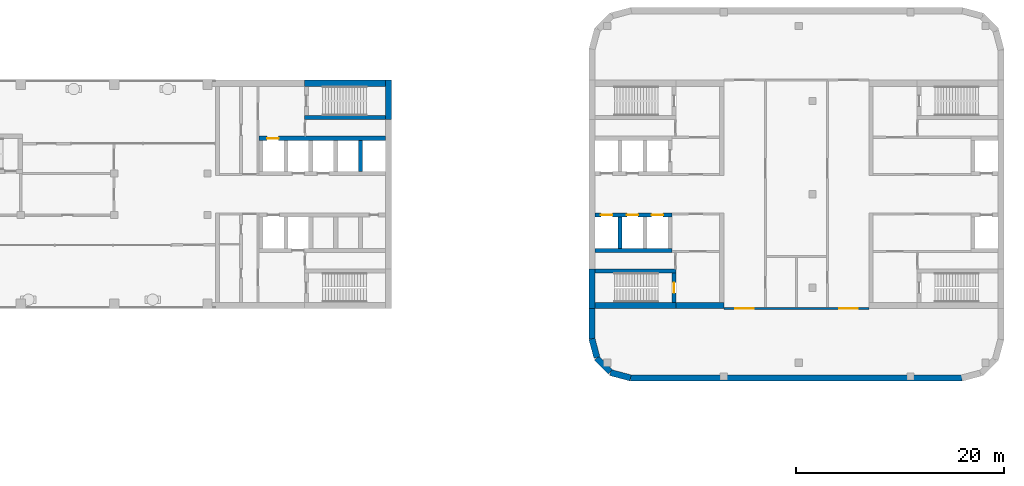
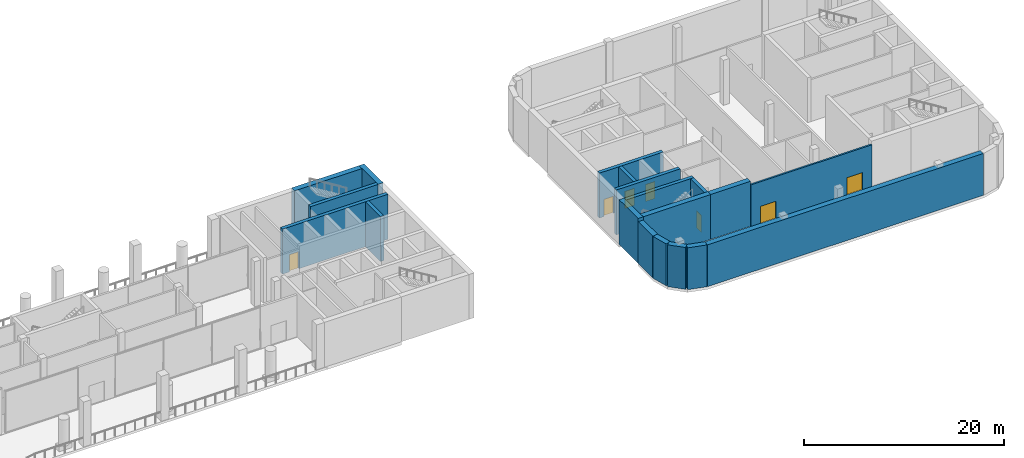
# One storey, part 12 of 19: 19 walls, 7 doors, 7 openings.
"""IFC4 building model written with IfcOpenShell, lengths in metres."""

from ifc_helpers import new_model, si_unit, direction, frame, frame_2d, origin, place, context, subcontext, project, spatial, rectangle, extrude, material, layer, layer_set, type_object, element, fill, save


model = new_model("IFC4")

# Units and contexts
model_context = context("Model", 3, precision=1e-05, world=origin(), true_north=direction((0.0, 1.0)))
body_context = subcontext(model_context, "Body", "Model", "MODEL_VIEW")
ifc_project = project(units=[si_unit("LENGTHUNIT", "METRE"), si_unit("AREAUNIT", "SQUARE_METRE"), si_unit("VOLUMEUNIT", "CUBIC_METRE"), si_unit("PLANEANGLEUNIT", "RADIAN"), si_unit("MASSUNIT", "GRAM", prefix="KILO")], contexts=[model_context])

# Site, building, storey
site_placement = place(None, origin())
site = spatial("IfcSite", under=ifc_project, at=site_placement, CompositionType="ELEMENT")
building_placement = place(site_placement, origin())
building = spatial("IfcBuilding", under=site, at=building_placement, Name="Skarvind Civic Tower", CompositionType="ELEMENT")
storey_placement = place(building_placement, frame((0.0, 0.0, 75.5)))
storey = spatial("IfcBuildingStorey", under=building, at=storey_placement, Name="L17", CompositionType="ELEMENT", Elevation=75.5)

# Wall
ifc_material_1 = material(Name="Concrete C80", Category="concrete")
ifc_layer_1 = layer(ifc_material_1, 0.39990234375)
ifc_layer_set_1 = layer_set([ifc_layer_1], Name="Core wall 400 C80")
wall_type_1 = type_object("IfcWallType", Name="Core wall 400 C80", PredefinedType="SHEAR", material=ifc_layer_set_1)
wall_1_placement = place(storey_placement, frame((107.39990234375, 135.39990234375, 0.0), z_axis=(0.0, 0.0, 1.0), x_axis=(-1.0, 0.0, 0.0)))
element("IfcWall", 1, at=wall_1_placement, inside=storey, type_object=wall_type_1, Name="Core wall C1 south stair inner L17", PredefinedType="SHEAR", context=body_context, shape_type="SweptSolid", body=[
    extrude(rectangle(XDim=7.7998046875, YDim=0.39990234375, at=frame_2d((3.89990234375, 0.0))), origin(), (0.0, 0.0, 1.0), 5.5),
])

# Wall, opening, door
wall_2_placement = place(storey_placement, frame((107.39990234375, 133.39990234375, 0.0), z_axis=(0.0, 0.0, 1.0), x_axis=(-1.0, 0.0, 0.0)))
wall_2 = element("IfcWall", 2, at=wall_2_placement, inside=storey, type_object=wall_type_1, Name="Core wall C1 south lift row back L17", PredefinedType="SHEAR", context=body_context, shape_type="SweptSolid", body=[
    extrude(rectangle(XDim=12.199951171875, YDim=0.39990234375, at=frame_2d((6.10009765625, 0.0))), origin(), (0.0, 0.0, 1.0), 5.5),
])
opening_1_placement = place(wall_2_placement, frame((10.300048828125, 0.0, 0.0)))
opening_1 = element("IfcOpeningElement", 3, at=opening_1_placement, cuts=wall_2, Name="Opening LD19110", PredefinedType="OPENING", context=body_context, shape_type="SweptSolid", body=[
    extrude(rectangle(XDim=1.10009765625, YDim=2.10009765625, at=frame_2d((0.550048828125, 1.050048828125))), frame((0.0, 0.2099609375, 0.0), z_axis=(0.0, -1.0, 0.0), x_axis=(1.0, 0.0, 0.0)), (0.0, 0.0, 1.0), 0.419921875),
])
ifc_material_2 = material(Name="Stainless steel landing door", Category="steel")
door_type_1 = type_object("IfcDoorType", Name="Lift landing door 1100", OperationType="DOUBLE_DOOR_SLIDING", PredefinedType="DOOR", material=ifc_material_2)
door_1_placement = place(opening_1_placement, origin())
door_1 = element("IfcDoor", 4, at=door_1_placement, inside=storey, type_object=door_type_1, Name="Lift landing door", OperationType="DOUBLE_DOOR_SLIDING", OverallHeight=2.10009765625, OverallWidth=1.10009765625, PredefinedType="DOOR", context=body_context, shape_type="SweptSolid", body=[
    extrude(rectangle(XDim=1.10009765625, YDim=2.10009765625, at=frame_2d((0.550048828125, 1.050048828125))), frame((0.0, 0.02490234375, 0.0), z_axis=(0.0, -1.0, 0.0), x_axis=(1.0, 0.0, 0.0)), (0.0, 0.0, 1.0), 0.050048828125),
])
fill(opening_1, door_1)

# Walls
wall_3_placement = place(storey_placement, frame((105.0, 133.199951171875, 0.0), z_axis=(0.0, 0.0, 1.0), x_axis=(0.0, -1.0, 0.0)))
element("IfcWall", 5, at=wall_3_placement, inside=storey, type_object=wall_type_1, Name="Core wall C1 south lift row division 1 L17", PredefinedType="SHEAR", context=body_context, shape_type="SweptSolid", body=[
    extrude(rectangle(XDim=3.0, YDim=0.39990234375, at=frame_2d((1.5, 0.0))), origin(), (0.0, 0.0, 1.0), 5.5),
])
wall_4_placement = place(storey_placement, frame((127.60009765625, 120.60009765625, 0.0), z_axis=(0.0, 0.0, 1.0), x_axis=(1.0, 0.0, 0.0)))
element("IfcWall", 6, at=wall_4_placement, inside=storey, type_object=wall_type_1, Name="Core wall CA south stair inner L17", PredefinedType="SHEAR", context=body_context, shape_type="SweptSolid", body=[
    extrude(rectangle(XDim=7.7998046875, YDim=0.39990234375, at=frame_2d((3.89990234375, 0.0))), origin(), (0.0, 0.0, 1.0), 5.5),
])

# Wall, opening, door
wall_5_placement = place(storey_placement, frame((135.199951171875, 117.60009765625, 0.0), z_axis=(0.0, 0.0, 1.0), x_axis=(0.0, 1.0, 0.0)))
wall_5 = element("IfcWall", 7, at=wall_5_placement, inside=storey, type_object=wall_type_1, Name="Core wall CA south stair end L17", PredefinedType="SHEAR", context=body_context, shape_type="SweptSolid", body=[
    extrude(rectangle(XDim=2.7998046875, YDim=0.39990234375, at=frame_2d((1.39990234375, 0.0))), origin(), (0.0, 0.0, 1.0), 5.5),
])
opening_2_placement = place(wall_5_placement, frame((0.89990234375, 0.0, 0.0)))
opening_2 = element("IfcOpeningElement", 8, at=opening_2_placement, cuts=wall_5, Name="Opening D-L17-CA-12", PredefinedType="OPENING", context=body_context, shape_type="SweptSolid", body=[
    extrude(rectangle(XDim=1.0, YDim=2.10009765625, at=frame_2d((0.5, 1.050048828125))), frame((0.0, 0.2099609375, 0.0), z_axis=(0.0, -1.0, 0.0), x_axis=(1.0, 0.0, 0.0)), (0.0, 0.0, 1.0), 0.419921875),
])
ifc_material_3 = material(Name="Fire-rated steel door", Category="steel")
door_type_2 = type_object("IfcDoorType", Name="Fire door 1000", OperationType="NOTDEFINED", PredefinedType="DOOR", material=ifc_material_3)
door_2_placement = place(opening_2_placement, origin())
door_2 = element("IfcDoor", 9, at=door_2_placement, inside=storey, type_object=door_type_2, Name="Fire door", OperationType="SINGLE_SWING_RIGHT", OverallHeight=2.10009765625, OverallWidth=1.0, PredefinedType="DOOR", context=body_context, shape_type="SweptSolid", body=[
    extrude(rectangle(XDim=1.0, YDim=2.10009765625, at=frame_2d((0.5, 1.050048828125))), frame((0.0, 0.02490234375, 0.0), z_axis=(0.0, -1.0, 0.0), x_axis=(1.0, 0.0, 0.0)), (0.0, 0.0, 1.0), 0.050048828125),
])
fill(opening_2, door_2)

# Wall, openings, doors
wall_6_placement = place(storey_placement, frame((127.60009765625, 126.0, 0.0), z_axis=(0.0, 0.0, 1.0), x_axis=(1.0, 0.0, 0.0)))
wall_6 = element("IfcWall", 10, at=wall_6_placement, inside=storey, type_object=wall_type_1, Name="Core wall CA south lift row front L17", PredefinedType="SHEAR", context=body_context, shape_type="SweptSolid", body=[
    extrude(rectangle(XDim=7.39990234375, YDim=0.39990234375, at=frame_2d((3.699951171875, 0.0))), origin(), (0.0, 0.0, 1.0), 5.5),
])
opening_3_placement = place(wall_6_placement, frame((0.550048828125, 0.0, 0.0)))
opening_3 = element("IfcOpeningElement", 11, at=opening_3_placement, cuts=wall_6, Name="Opening LD19304", PredefinedType="OPENING", context=body_context, shape_type="SweptSolid", body=[
    extrude(rectangle(XDim=1.10009765625, YDim=2.10009765625, at=frame_2d((0.550048828125, 1.050048828125))), frame((0.0, 0.2099609375, 0.0), z_axis=(0.0, -1.0, 0.0), x_axis=(1.0, 0.0, 0.0)), (0.0, 0.0, 1.0), 0.419921875),
])
opening_4_placement = place(wall_6_placement, frame((3.050048828125, 0.0, 0.0)))
opening_4 = element("IfcOpeningElement", 12, at=opening_4_placement, cuts=wall_6, Name="Opening LD19305", PredefinedType="OPENING", context=body_context, shape_type="SweptSolid", body=[
    extrude(rectangle(XDim=1.10009765625, YDim=2.10009765625, at=frame_2d((0.550048828125, 1.050048828125))), frame((0.0, 0.2099609375, 0.0), z_axis=(0.0, -1.0, 0.0), x_axis=(1.0, 0.0, 0.0)), (0.0, 0.0, 1.0), 0.419921875),
])
opening_5_placement = place(wall_6_placement, frame((5.449951171875, 0.0, 0.0)))
opening_5 = element("IfcOpeningElement", 13, at=opening_5_placement, cuts=wall_6, Name="Opening LD19306", PredefinedType="OPENING", context=body_context, shape_type="SweptSolid", body=[
    extrude(rectangle(XDim=1.10009765625, YDim=2.10009765625, at=frame_2d((0.550048828125, 1.050048828125))), frame((0.0, 0.2099609375, 0.0), z_axis=(0.0, -1.0, 0.0), x_axis=(1.0, 0.0, 0.0)), (0.0, 0.0, 1.0), 0.419921875),
])
door_3_placement = place(opening_3_placement, origin())
door_3 = element("IfcDoor", 14, at=door_3_placement, inside=storey, type_object=door_type_1, Name="Lift landing door", OperationType="DOUBLE_DOOR_SLIDING", OverallHeight=2.10009765625, OverallWidth=1.10009765625, PredefinedType="DOOR", context=body_context, shape_type="SweptSolid", body=[
    extrude(rectangle(XDim=1.10009765625, YDim=2.10009765625, at=frame_2d((0.550048828125, 1.050048828125))), frame((0.0, 0.02490234375, 0.0), z_axis=(0.0, -1.0, 0.0), x_axis=(1.0, 0.0, 0.0)), (0.0, 0.0, 1.0), 0.050048828125),
])
fill(opening_3, door_3)
door_4_placement = place(opening_4_placement, origin())
door_4 = element("IfcDoor", 15, at=door_4_placement, inside=storey, type_object=door_type_1, Name="Lift landing door", OperationType="DOUBLE_DOOR_SLIDING", OverallHeight=2.10009765625, OverallWidth=1.10009765625, PredefinedType="DOOR", context=body_context, shape_type="SweptSolid", body=[
    extrude(rectangle(XDim=1.10009765625, YDim=2.10009765625, at=frame_2d((0.550048828125, 1.050048828125))), frame((0.0, 0.02490234375, 0.0), z_axis=(0.0, -1.0, 0.0), x_axis=(1.0, 0.0, 0.0)), (0.0, 0.0, 1.0), 0.050048828125),
])
fill(opening_4, door_4)
door_5_placement = place(opening_5_placement, origin())
door_5 = element("IfcDoor", 16, at=door_5_placement, inside=storey, type_object=door_type_1, Name="Lift landing door", OperationType="DOUBLE_DOOR_SLIDING", OverallHeight=2.10009765625, OverallWidth=1.10009765625, PredefinedType="DOOR", context=body_context, shape_type="SweptSolid", body=[
    extrude(rectangle(XDim=1.10009765625, YDim=2.10009765625, at=frame_2d((0.550048828125, 1.050048828125))), frame((0.0, 0.02490234375, 0.0), z_axis=(0.0, -1.0, 0.0), x_axis=(1.0, 0.0, 0.0)), (0.0, 0.0, 1.0), 0.050048828125),
])
fill(opening_5, door_5)

# Walls
wall_7_placement = place(storey_placement, frame((127.60009765625, 122.60009765625, 0.0), z_axis=(0.0, 0.0, 1.0), x_axis=(1.0, 0.0, 0.0)))
element("IfcWall", 17, at=wall_7_placement, inside=storey, type_object=wall_type_1, Name="Core wall CA south lift row back L17", PredefinedType="SHEAR", context=body_context, shape_type="SweptSolid", body=[
    extrude(rectangle(XDim=7.39990234375, YDim=0.39990234375, at=frame_2d((3.699951171875, 0.0))), origin(), (0.0, 0.0, 1.0), 5.5),
])
wall_8_placement = place(storey_placement, frame((130.0, 122.800048828125, 0.0), z_axis=(0.0, 0.0, 1.0), x_axis=(0.0, 1.0, 0.0)))
element("IfcWall", 18, at=wall_8_placement, inside=storey, type_object=wall_type_1, Name="Core wall CA south lift row division 1 L17", PredefinedType="SHEAR", context=body_context, shape_type="SweptSolid", body=[
    extrude(rectangle(XDim=3.0, YDim=0.39990234375, at=frame_2d((1.5, 0.0))), origin(), (0.0, 0.0, 1.0), 5.5),
])
ifc_layer_2 = layer(ifc_material_1, 0.60009765625)
ifc_layer_set_2 = layer_set([ifc_layer_2], Name="Core wall 600 C80")
wall_type_2 = type_object("IfcWallType", Name="Core wall 600 C80", PredefinedType="SHEAR", material=ifc_layer_set_2)
wall_9_placement = place(storey_placement, frame((107.699951171875, 139.0, 0.0), z_axis=(0.0, 0.0, 1.0), x_axis=(0.0, -1.0, 0.0)))
element("IfcWall", 19, at=wall_9_placement, inside=storey, type_object=wall_type_2, Name="Core wall C1 tip at the south stair L17", PredefinedType="SHEAR", context=body_context, shape_type="SweptSolid", body=[
    extrude(rectangle(XDim=3.800048828125, YDim=0.60009765625, at=frame_2d((1.89990234375, 0.0))), origin(), (0.0, 0.0, 1.0), 5.5),
])
wall_10_placement = place(storey_placement, frame((107.39990234375, 138.699951171875, 0.0), z_axis=(0.0, 0.0, 1.0), x_axis=(-1.0, 0.0, 0.0)))
element("IfcWall", 20, at=wall_10_placement, inside=storey, type_object=wall_type_2, Name="Core wall C1 south side at the stair L17", PredefinedType="SHEAR", context=body_context, shape_type="SweptSolid", body=[
    extrude(rectangle(XDim=7.7998046875, YDim=0.60009765625, at=frame_2d((3.89990234375, 0.0))), origin(), (0.0, 0.0, 1.0), 5.5),
])
wall_11_placement = place(storey_placement, frame((127.300048828125, 117.0, 0.0), z_axis=(0.0, 0.0, 1.0), x_axis=(0.0, 1.0, 0.0)))
element("IfcWall", 21, at=wall_11_placement, inside=storey, type_object=wall_type_2, Name="Core wall CA tip at the south stair L17", PredefinedType="SHEAR", context=body_context, shape_type="SweptSolid", body=[
    extrude(rectangle(XDim=3.800048828125, YDim=0.60009765625, at=frame_2d((1.89990234375, 0.0))), origin(), (0.0, 0.0, 1.0), 5.5),
])
wall_12_placement = place(storey_placement, frame((127.60009765625, 117.300048828125, 0.0), z_axis=(0.0, 0.0, 1.0), x_axis=(1.0, 0.0, 0.0)))
element("IfcWall", 22, at=wall_12_placement, inside=storey, type_object=wall_type_2, Name="Core wall CA south side at the stair L17", PredefinedType="SHEAR", context=body_context, shape_type="SweptSolid", body=[
    extrude(rectangle(XDim=7.7998046875, YDim=0.60009765625, at=frame_2d((3.89990234375, 0.0))), origin(), (0.0, 0.0, 1.0), 5.5),
])
wall_13_placement = place(storey_placement, frame((135.39990234375, 117.300048828125, 0.0), z_axis=(0.0, 0.0, 1.0), x_axis=(1.0, 0.0, 0.0)))
element("IfcWall", 23, at=wall_13_placement, inside=storey, type_object=wall_type_2, Name="Core wall CA south side L17", PredefinedType="SHEAR", context=body_context, shape_type="SweptSolid", body=[
    extrude(rectangle(XDim=4.60009765625, YDim=0.60009765625, at=frame_2d((2.300048828125, 0.0))), origin(), (0.0, 0.0, 1.0), 5.5),
])

# Wall, openings, doors
ifc_material_4 = material(Name="Fire-rated blockwork wall, plastered", Category="masonry")
ifc_layer_3 = layer(ifc_material_4, 0.199951171875)
ifc_layer_set_3 = layer_set([ifc_layer_3], Name="FIRE WALL 200 EI 60")
wall_type_3 = type_object("IfcWallType", Name="FIRE WALL 200 EI 60", PredefinedType="PARTITIONING", material=ifc_layer_set_3)
wall_14_placement = place(storey_placement, frame((154.0, 117.0, 0.0), z_axis=(0.0, 0.0, 1.0), x_axis=(-1.0, 0.0, 0.0)))
wall_14 = element("IfcWall", 24, at=wall_14_placement, inside=storey, type_object=wall_type_3, Name="Amenity partition L17 001", PredefinedType="PARTITIONING", context=body_context, shape_type="SweptSolid", body=[
    extrude(rectangle(XDim=14.0, YDim=0.199951171875, at=frame_2d((7.0, 0.0))), origin(), (0.0, 0.0, 1.0), 5.125),
])
opening_6_placement = place(wall_14_placement, frame((11.10009765625, 0.0, 0.0)))
opening_6 = element("IfcOpeningElement", 25, at=opening_6_placement, cuts=wall_14, Name="Opening L17-D301", PredefinedType="OPENING", context=body_context, shape_type="SweptSolid", body=[
    extrude(rectangle(XDim=1.800048828125, YDim=2.10009765625, at=frame_2d((0.89990234375, 1.050048828125))), frame((0.0, 0.10986328125, 0.0), z_axis=(0.0, -1.0, 0.0), x_axis=(1.0, 0.0, 0.0)), (0.0, 0.0, 1.0), 0.219970703125),
])
opening_7_placement = place(wall_14_placement, frame((1.10009765625, 0.0, 0.0)))
opening_7 = element("IfcOpeningElement", 26, at=opening_7_placement, cuts=wall_14, Name="Opening L17-D307", PredefinedType="OPENING", context=body_context, shape_type="SweptSolid", body=[
    extrude(rectangle(XDim=1.800048828125, YDim=2.10009765625, at=frame_2d((0.89990234375, 1.050048828125))), frame((0.0, 0.10986328125, 0.0), z_axis=(0.0, -1.0, 0.0), x_axis=(1.0, 0.0, 0.0)), (0.0, 0.0, 1.0), 0.219970703125),
])
ifc_material_5 = material(Name="Painted steel fire door leaf", Category="steel")
door_type_3 = type_object("IfcDoorType", Name="FIRE DOOR 1800X2100 DOUBLE STEEL", OperationType="NOTDEFINED", PredefinedType="DOOR", material=ifc_material_5)
door_6_placement = place(opening_6_placement, origin())
door_6 = element("IfcDoor", 27, at=door_6_placement, inside=storey, type_object=door_type_3, Name="FIRE DOOR", OperationType="DOUBLE_DOOR_SINGLE_SWING", OverallHeight=2.10009765625, OverallWidth=1.800048828125, PredefinedType="DOOR", context=body_context, shape_type="SweptSolid", body=[
    extrude(rectangle(XDim=1.800048828125, YDim=2.10009765625, at=frame_2d((0.89990234375, 1.050048828125))), frame((0.0, 0.02490234375, 0.0), z_axis=(0.0, -1.0, 0.0), x_axis=(1.0, 0.0, 0.0)), (0.0, 0.0, 1.0), 0.050048828125),
])
fill(opening_6, door_6)
door_7_placement = place(opening_7_placement, origin())
door_7 = element("IfcDoor", 28, at=door_7_placement, inside=storey, type_object=door_type_3, Name="FIRE DOOR", OperationType="DOUBLE_DOOR_SINGLE_SWING", OverallHeight=2.10009765625, OverallWidth=1.800048828125, PredefinedType="DOOR", context=body_context, shape_type="SweptSolid", body=[
    extrude(rectangle(XDim=1.800048828125, YDim=2.10009765625, at=frame_2d((0.89990234375, 1.050048828125))), frame((0.0, 0.02490234375, 0.0), z_axis=(0.0, -1.0, 0.0), x_axis=(1.0, 0.0, 0.0)), (0.0, 0.0, 1.0), 0.050048828125),
])
fill(opening_7, door_7)

# Walls
ifc_material_6 = material(Name="Limestone masonry cladding on insulated backing", Category="masonry")
ifc_layer_4 = layer(ifc_material_6, 0.60009765625)
ifc_layer_set_4 = layer_set([ifc_layer_4], Name="WX1 STONE FACADE WALL 600")
wall_type_4 = type_object("IfcWallType", Name="WX1 STONE FACADE WALL 600", PredefinedType="SOLIDWALL", material=ifc_layer_set_4)
wall_15_placement = place(storey_placement, frame((127.300048828125, 114.070068359375, 0.0), z_axis=(0.0, 0.0, 1.0), x_axis=(0.0, 1.0, 0.0)))
element("IfcWall", 29, at=wall_15_placement, inside=storey, type_object=wall_type_4, Name="STONE FACADE WALL", PredefinedType="SOLIDWALL", context=body_context, shape_type="SweptSolid", body=[
    extrude(rectangle(XDim=2.909912109375, YDim=0.60009765625, at=frame_2d((1.455078125, 0.0))), origin(), (0.0, 0.0, 1.0), 5.125),
])
for number, where, z_axis, x_axis, name in (
    (30, (127.771240234375, 112.280517578125, 0.0), (0.0, 0.0, 1.0), (-0.258773254036, 0.965938094805, 0.0), "STONE FACADE WALL"),
    (31, (129.063720703125, 110.896484375, 0.0), (0.0, 0.0, 1.0), (-0.707106781187, 0.707106781187, 0.0), "STONE FACADE WALL"),
):
    element("IfcWall", number, at=place(storey_placement, frame(where, z_axis=z_axis, x_axis=x_axis)), inside=storey, type_object=wall_type_4, Name=name, PredefinedType="SOLIDWALL", context=body_context, shape_type="SweptSolid", body=[
        extrude(rectangle(XDim=1.860595703125, YDim=0.60009765625, at=frame_2d((0.93017578125, 0.0))), origin(), (0.0, 0.0, 1.0), 5.125),
    ])
wall_16_placement = place(storey_placement, frame((131.010009765625, 110.307861328125, 0.0), z_axis=(0.0, 0.0, 1.0), x_axis=(-0.965920269068, 0.258839784042, 0.0)))
element("IfcWall", 32, at=wall_16_placement, inside=storey, type_object=wall_type_4, Name="STONE FACADE WALL", PredefinedType="SOLIDWALL", context=body_context, shape_type="SweptSolid", body=[
    extrude(rectangle(XDim=2.00048828125, YDim=0.60009765625, at=frame_2d((1.000244140625, 0.0))), origin(), (0.0, 0.0, 1.0), 5.125),
])
wall_17_placement = place(storey_placement, frame((162.929931640625, 110.300048828125, 0.0), z_axis=(0.0, 0.0, 1.0), x_axis=(-1.0, 0.0, 0.0)))
element("IfcWall", 33, at=wall_17_placement, inside=storey, type_object=wall_type_4, Name="STONE FACADE WALL", PredefinedType="SOLIDWALL", context=body_context, shape_type="SweptSolid", body=[
    extrude(rectangle(XDim=31.929931640625, YDim=0.60009765625, at=frame_2d((15.96484375, 0.0))), origin(), (0.0, 0.0, 1.0), 5.125),
])

save(model, "model.ifc")
